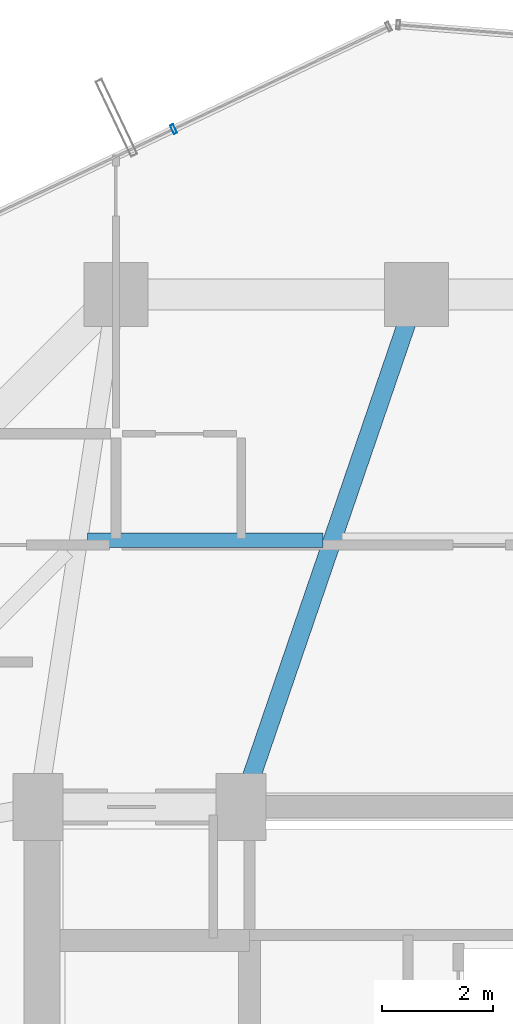
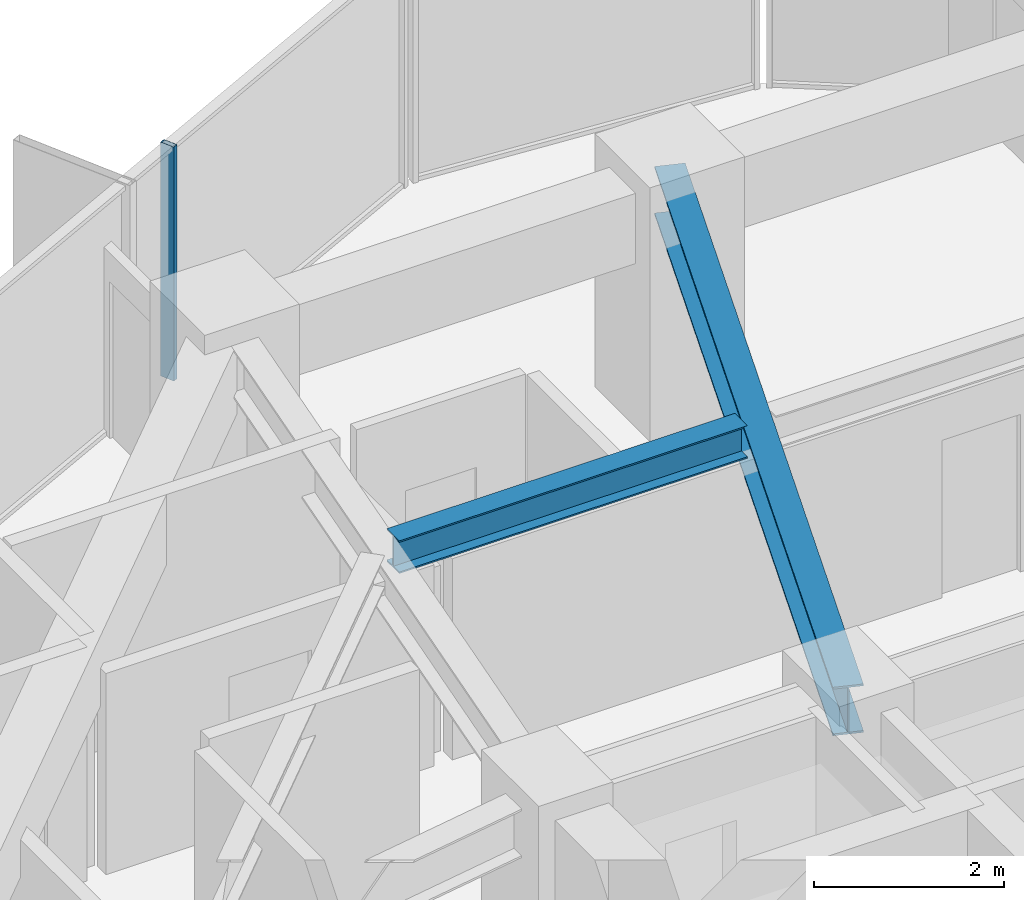
# One storey, part 19 of 30: 2 beams, 1 member, 1 element without a shape of its own.
"""IFC4 building model written with IfcOpenShell, lengths in metres."""

from ifc_helpers import new_model, si_unit, direction, frame, origin, origin_2d, place, context, subcontext, project, spatial, hollow_rectangle, i_section, extrude, source, transform, mapped, material, layer, layer_set, material_profile, profile_set, type_object, element, aggregate, save


model = new_model("IFC4")

# Units and contexts
model_context = context("Model", 3, precision=1e-05, world=origin(), true_north=direction((0.0, 1.0)))
body_context = subcontext(model_context, "Body", "Model", "MODEL_VIEW")
ifc_project = project(units=[si_unit("LENGTHUNIT", "METRE"), si_unit("AREAUNIT", "SQUARE_METRE"), si_unit("VOLUMEUNIT", "CUBIC_METRE"), si_unit("PLANEANGLEUNIT", "RADIAN"), si_unit("MASSUNIT", "GRAM", prefix="KILO")], contexts=[model_context])

# Site, building, storey
site_placement = place(None, origin())
site = spatial("IfcSite", under=ifc_project, at=site_placement, CompositionType="ELEMENT")
building_placement = place(site_placement, origin())
building = spatial("IfcBuilding", under=site, at=building_placement, Name="Veraguas Prism Commons", CompositionType="ELEMENT")
storey_placement = place(building_placement, frame((0.0, 0.0, 113.25)))
storey = spatial("IfcBuildingStorey", under=building, at=storey_placement, Name="L31", CompositionType="ELEMENT", Elevation=113.25)

# Beams
ifc_material_1 = material(Name="Steel ASTM A992 Grade 50", Category="steel")
ifc_material_profile_1 = material_profile(ifc_material_1, i_section(OverallWidth=0.260986328125, OverallDepth=0.419921875, WebThickness=0.01171875, FlangeThickness=0.019287109375, at=origin_2d()), Name="W410X114")
ifc_profile_set_1 = profile_set([ifc_material_profile_1], Name="Steel ASTM A992 Grade 50")
beam_type_1 = type_object("IfcBeamType", Name="Lower Floor Joist W410x114", PredefinedType="JOIST", material=ifc_profile_set_1)
beam_1_placement = place(storey_placement, frame((22.31689453125, 35.783935546875, 2.7900390625), z_axis=(-1.0, 0.0, 0.0), x_axis=(0.0, -1.0, 0.0)))
element("IfcBeam", 1, at=beam_1_placement, inside=storey, type_object=beam_type_1, Name="Composite Floor Joist L31-JS05", PredefinedType="JOIST", context=body_context, shape_type="SweptSolid", body=[
    extrude(i_section(OverallWidth=0.260986328125, OverallDepth=0.419921875, WebThickness=0.01171875, FlangeThickness=0.019287109375, at=origin_2d()), origin(), (0.0, 0.0, 1.0), 4.22509765625),
])
ifc_material_profile_2 = material_profile(ifc_material_1, i_section(OverallWidth=0.327880859375, OverallDepth=0.6220703125, WebThickness=0.015380859375, FlangeThickness=0.0244140625, at=origin_2d()), Name="W610X195")
ifc_profile_set_2 = profile_set([ifc_material_profile_2], Name="Steel ASTM A992 Grade 50")
beam_type_2 = type_object("IfcBeamType", Name="Zone 2 Radial Girder W610x195", PredefinedType="BEAM", material=ifc_profile_set_2)
beam_2_placement = place(storey_placement, frame((24.0, 40.199951171875, 2.68896484375), z_axis=(-0.323922482989, -0.946083624747, 0.0), x_axis=(0.946083624747, -0.323922482989, 0.0)))
element("IfcBeam", 2, at=beam_2_placement, inside=storey, type_object=beam_type_2, Name="Radial Floor Girder L31-RD05", PredefinedType="BEAM", context=body_context, shape_type="SweptSolid", body=[
    extrude(i_section(OverallWidth=0.327880859375, OverallDepth=0.6220703125, WebThickness=0.015380859375, FlangeThickness=0.0244140625, at=origin_2d()), origin(), (0.0, 0.0, 1.0), 9.724365234375),
])

# Curtain wall, member
ifc_material_2 = material(Name="Anodised aluminium EN AW-6063 T6", Category="aluminium")
ifc_layer = layer(ifc_material_2, 0.169921875, Name="Unitised Flush Curtain Wall Zone 2", Category="aluminium")
ifc_layer_set = layer_set([ifc_layer], Name="Anodised aluminium EN AW-6063 T6")
curtain_wall_type = type_object("IfcCurtainWallType", Name="Unitised Flush Curtain Wall Zone 2", PredefinedType="NOTDEFINED", material=ifc_layer_set)
curtain_wall_placement = place(storey_placement, origin())
curtain_wall = element("IfcCurtainWall", 3, at=curtain_wall_placement, inside=storey, type_object=curtain_wall_type, Name="Tower Facade Curtain Wall L31-F2", PredefinedType="NOTDEFINED")
ifc_material_profile_3 = material_profile(ifc_material_2, hollow_rectangle(XDim=0.06005859375, YDim=0.169921875, WallThickness=0.00390625, at=origin_2d()), Name="AL60X170X4")
ifc_profile_set_3 = profile_set([ifc_material_profile_3], Name="Anodised aluminium EN AW-6063 T6")
member_type = type_object("IfcMemberType", Name="Curtain Wall Mullion Lower AL 60x170x4", PredefinedType="MULLION", material=ifc_profile_set_3)
shared_shape = source(origin(), body_context, "Body", "SweptSolid", [
    extrude(hollow_rectangle(XDim=0.06005859375, YDim=0.169921875, WallThickness=0.00390625, at=origin_2d()), origin(), (0.0, 0.0, 1.0), 3.0),
])
member_placement = place(storey_placement, frame((19.63720703125, 43.170166015625, 0.0), z_axis=(0.0, 0.0, 1.0), x_axis=(-0.902734004407, -0.430199160025, 0.0)))
member = element("IfcMember", 4, at=member_placement, type_object=member_type, Name="CW-Z2 Mullion 2", PredefinedType="MULLION", context=body_context, shape_type="MappedRepresentation", body=[
    mapped(shared_shape, transform((0.0, 0.0, 0.0), scale=1.0)),
])
aggregate(curtain_wall, [member])

save(model, "model.ifc")
